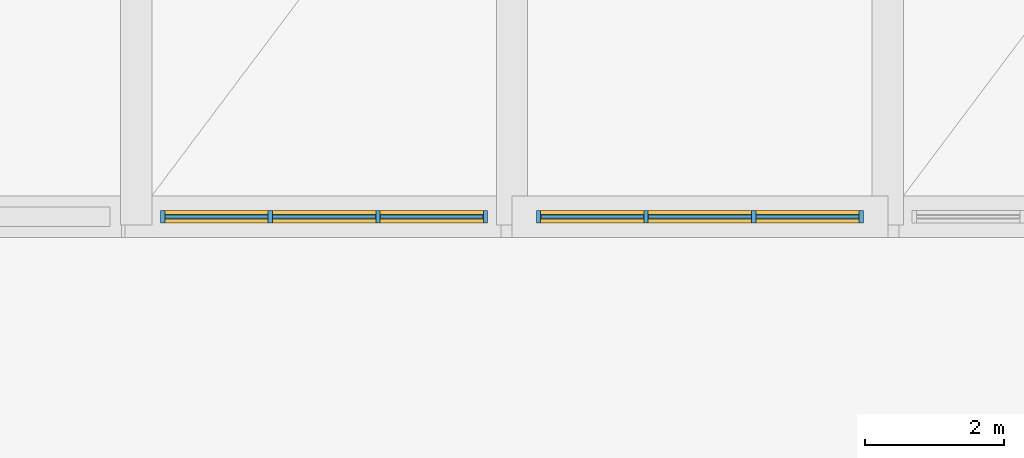
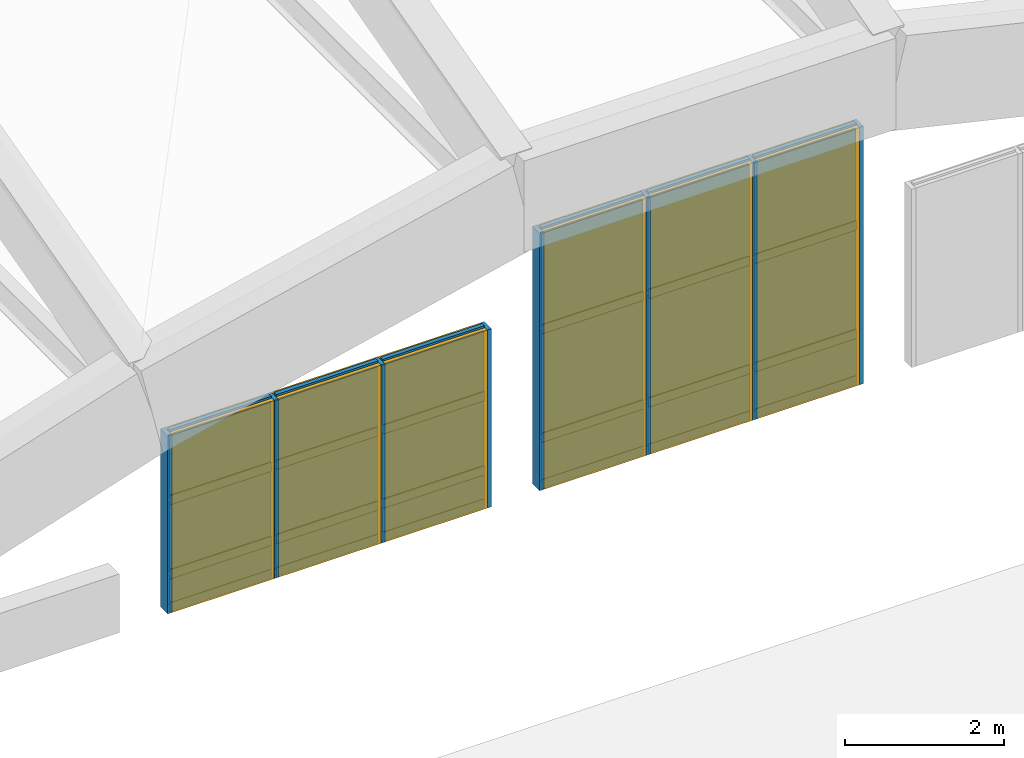
# One storey, part 26 of 27: 32 members, 18 plates, 2 curtain walls.
"""IFC4 building model written with IfcOpenShell, lengths in metres."""

from ifc_helpers import new_model, si_unit, direction, frame, frame_2d, origin, origin_2d, place, context, subcontext, project, spatial, rectangle, extrude, material, layer, layer_set, material_profile, profile_set, type_object, element, aggregate, save


model = new_model("IFC4")

# Units and contexts
model_context = context("Model", 3, precision=1e-05, world=origin(), true_north=direction((0.0, 1.0)))
body_context = subcontext(model_context, "Body", "Model", "MODEL_VIEW")
ifc_project = project(units=[si_unit("LENGTHUNIT", "METRE"), si_unit("AREAUNIT", "SQUARE_METRE"), si_unit("VOLUMEUNIT", "CUBIC_METRE"), si_unit("PLANEANGLEUNIT", "RADIAN"), si_unit("MASSUNIT", "GRAM", prefix="KILO")], contexts=[model_context])

# Member
ifc_material_1 = material(Name="Anodised Bronze Aluminium 6063-T6", Category="aluminium")
ifc_material_profile_1 = material_profile(ifc_material_1, rectangle(XDim=0.06005859375, YDim=0.179931640625, at=origin_2d()), Name="ALU MULLION 60x180")
ifc_profile_set_1 = profile_set([ifc_material_profile_1], Name="Anodised Bronze Aluminium 6063-T6")
member_type_1 = type_object("IfcMemberType", Name="Curtain-Wall Primary Mullion 60x180", PredefinedType="MULLION", material=ifc_profile_set_1)
site_placement = place(None, origin())
building_placement = place(site_placement, origin())
storey_placement = place(building_placement, frame((0.0, 0.0, 24.89990234375)))
member_1_placement = place(storey_placement, frame((68.780029296875, 51.800048828125, -8.0498046875), z_axis=(0.0, 0.0, 1.0), x_axis=(1.0, 0.0, 0.0)))
member_1 = element("IfcMember", 1, at=member_1_placement, type_object=member_type_1, Name="Mullion CWM-01 CW-V1-TYMP-S-B3-M01", PredefinedType="MULLION", context=body_context, shape_type="SweptSolid", body=[
    extrude(rectangle(XDim=0.06005859375, YDim=0.179931640625, at=origin_2d()), origin(), (0.0, 0.0, 1.0), 2.736083984375),
])

member_2_placement = place(storey_placement, frame((70.32666015625, 51.800048828125, -8.0498046875), z_axis=(0.0, 0.0, 1.0), x_axis=(1.0, 0.0, 0.0)))
member_2 = element("IfcMember", 2, at=member_2_placement, type_object=member_type_1, Name="Mullion CWM-01 CW-V1-TYMP-S-B3-M02", PredefinedType="MULLION", context=body_context, shape_type="SweptSolid", body=[
    extrude(rectangle(XDim=0.06005859375, YDim=0.179931640625, at=origin_2d()), origin(), (0.0, 0.0, 1.0), 2.736083984375),
])

member_3_placement = place(storey_placement, frame((71.873291015625, 51.800048828125, -8.0498046875), z_axis=(0.0, 0.0, 1.0), x_axis=(1.0, 0.0, 0.0)))
member_3 = element("IfcMember", 3, at=member_3_placement, type_object=member_type_1, Name="Mullion CWM-01 CW-V1-TYMP-S-B3-M03", PredefinedType="MULLION", context=body_context, shape_type="SweptSolid", body=[
    extrude(rectangle(XDim=0.06005859375, YDim=0.179931640625, at=origin_2d()), origin(), (0.0, 0.0, 1.0), 2.736083984375),
])

member_4_placement = place(storey_placement, frame((73.419921875, 51.800048828125, -8.0498046875), z_axis=(0.0, 0.0, 1.0), x_axis=(1.0, 0.0, 0.0)))
member_4 = element("IfcMember", 4, at=member_4_placement, type_object=member_type_1, Name="Mullion CWM-01 CW-V1-TYMP-S-B3-M04", PredefinedType="MULLION", context=body_context, shape_type="SweptSolid", body=[
    extrude(rectangle(XDim=0.06005859375, YDim=0.179931640625, at=origin_2d()), origin(), (0.0, 0.0, 1.0), 2.736083984375),
])

member_5_placement = place(storey_placement, frame((74.179931640625, 51.800048828125, -8.0498046875), z_axis=(0.0, 0.0, 1.0), x_axis=(1.0, 0.0, 0.0)))
member_5 = element("IfcMember", 5, at=member_5_placement, type_object=member_type_1, Name="Mullion CWM-01 CW-V1-TYMP-S-B4-M01", PredefinedType="MULLION", context=body_context, shape_type="SweptSolid", body=[
    extrude(rectangle(XDim=0.06005859375, YDim=0.179931640625, at=origin_2d()), origin(), (0.0, 0.0, 1.0), 3.952392578125),
])

member_6_placement = place(storey_placement, frame((75.726806640625, 51.800048828125, -8.0498046875), z_axis=(0.0, 0.0, 1.0), x_axis=(1.0, 0.0, 0.0)))
member_6 = element("IfcMember", 6, at=member_6_placement, type_object=member_type_1, Name="Mullion CWM-01 CW-V1-TYMP-S-B4-M02", PredefinedType="MULLION", context=body_context, shape_type="SweptSolid", body=[
    extrude(rectangle(XDim=0.06005859375, YDim=0.179931640625, at=origin_2d()), origin(), (0.0, 0.0, 1.0), 3.952392578125),
])

member_7_placement = place(storey_placement, frame((77.273193359375, 51.800048828125, -8.0498046875), z_axis=(0.0, 0.0, 1.0), x_axis=(1.0, 0.0, 0.0)))
member_7 = element("IfcMember", 7, at=member_7_placement, type_object=member_type_1, Name="Mullion CWM-01 CW-V1-TYMP-S-B4-M03", PredefinedType="MULLION", context=body_context, shape_type="SweptSolid", body=[
    extrude(rectangle(XDim=0.06005859375, YDim=0.179931640625, at=origin_2d()), origin(), (0.0, 0.0, 1.0), 3.952392578125),
])

member_8_placement = place(storey_placement, frame((78.820068359375, 51.800048828125, -8.0498046875), z_axis=(0.0, 0.0, 1.0), x_axis=(1.0, 0.0, 0.0)))
member_8 = element("IfcMember", 8, at=member_8_placement, type_object=member_type_1, Name="Mullion CWM-01 CW-V1-TYMP-S-B4-M04", PredefinedType="MULLION", context=body_context, shape_type="SweptSolid", body=[
    extrude(rectangle(XDim=0.06005859375, YDim=0.179931640625, at=origin_2d()), origin(), (0.0, 0.0, 1.0), 3.952392578125),
])

ifc_material_profile_2 = material_profile(ifc_material_1, rectangle(XDim=0.06005859375, YDim=0.139892578125, at=origin_2d()), Name="ALU TRANSOM 60x140")
ifc_profile_set_2 = profile_set([ifc_material_profile_2], Name="Anodised Bronze Aluminium 6063-T6")
member_type_2 = type_object("IfcMemberType", Name="Curtain-Wall Transom 60x140", PredefinedType="USERDEFINED", material=ifc_profile_set_2)
member_9_placement = place(storey_placement, frame((68.81494140625, 51.800048828125, -8.010009765625), z_axis=(1.0, 0.0, 0.0), x_axis=(0.0, 1.0, 0.0)))
member_9 = element("IfcMember", 9, at=member_9_placement, type_object=member_type_2, Name="Transom CWT-01 CW-V1-TYMP-S-B3-T01.1", ObjectType="TRANSOM", PredefinedType="USERDEFINED", context=body_context, shape_type="SweptSolid", body=[
    extrude(rectangle(XDim=0.06005859375, YDim=0.139892578125, at=origin_2d()), origin(), (0.0, 0.0, 1.0), 1.476806640625),
])

member_10_placement = place(storey_placement, frame((68.81494140625, 51.800048828125, -7.5029296875), z_axis=(1.0, 0.0, 0.0), x_axis=(0.0, 1.0, 0.0)))
member_10 = element("IfcMember", 10, at=member_10_placement, type_object=member_type_2, Name="Transom CWT-01 CW-V1-TYMP-S-B3-T01.2", ObjectType="TRANSOM", PredefinedType="USERDEFINED", context=body_context, shape_type="SweptSolid", body=[
    extrude(rectangle(XDim=0.06005859375, YDim=0.139892578125, at=origin_2d()), origin(), (0.0, 0.0, 1.0), 1.476806640625),
])

member_11_placement = place(storey_placement, frame((68.81494140625, 51.800048828125, -6.364501953125), z_axis=(1.0, 0.0, 0.0), x_axis=(0.0, 1.0, 0.0)))
member_11 = element("IfcMember", 11, at=member_11_placement, type_object=member_type_2, Name="Transom CWT-01 CW-V1-TYMP-S-B3-T01.3", ObjectType="TRANSOM", PredefinedType="USERDEFINED", context=body_context, shape_type="SweptSolid", body=[
    extrude(rectangle(XDim=0.06005859375, YDim=0.139892578125, at=origin_2d()), origin(), (0.0, 0.0, 1.0), 1.476806640625),
])

member_12_placement = place(storey_placement, frame((68.81494140625, 51.800048828125, -5.353759765625), z_axis=(1.0, 0.0, 0.0), x_axis=(0.0, 1.0, 0.0)))
member_12 = element("IfcMember", 12, at=member_12_placement, type_object=member_type_2, Name="Transom CWT-01 CW-V1-TYMP-S-B3-T01.4", ObjectType="TRANSOM", PredefinedType="USERDEFINED", context=body_context, shape_type="SweptSolid", body=[
    extrude(rectangle(XDim=0.06005859375, YDim=0.139892578125, at=origin_2d()), origin(), (0.0, 0.0, 1.0), 1.476806640625),
])

member_13_placement = place(storey_placement, frame((70.36181640625, 51.800048828125, -8.010009765625), z_axis=(1.0, 0.0, 0.0), x_axis=(0.0, 1.0, 0.0)))
member_13 = element("IfcMember", 13, at=member_13_placement, type_object=member_type_2, Name="Transom CWT-01 CW-V1-TYMP-S-B3-T02.1", ObjectType="TRANSOM", PredefinedType="USERDEFINED", context=body_context, shape_type="SweptSolid", body=[
    extrude(rectangle(XDim=0.06005859375, YDim=0.139892578125, at=origin_2d()), origin(), (0.0, 0.0, 1.0), 1.4765625),
])

member_14_placement = place(storey_placement, frame((70.36181640625, 51.800048828125, -7.5029296875), z_axis=(1.0, 0.0, 0.0), x_axis=(0.0, 1.0, 0.0)))
member_14 = element("IfcMember", 14, at=member_14_placement, type_object=member_type_2, Name="Transom CWT-01 CW-V1-TYMP-S-B3-T02.2", ObjectType="TRANSOM", PredefinedType="USERDEFINED", context=body_context, shape_type="SweptSolid", body=[
    extrude(rectangle(XDim=0.06005859375, YDim=0.139892578125, at=origin_2d()), origin(), (0.0, 0.0, 1.0), 1.4765625),
])

member_15_placement = place(storey_placement, frame((70.36181640625, 51.800048828125, -6.364501953125), z_axis=(1.0, 0.0, 0.0), x_axis=(0.0, 1.0, 0.0)))
member_15 = element("IfcMember", 15, at=member_15_placement, type_object=member_type_2, Name="Transom CWT-01 CW-V1-TYMP-S-B3-T02.3", ObjectType="TRANSOM", PredefinedType="USERDEFINED", context=body_context, shape_type="SweptSolid", body=[
    extrude(rectangle(XDim=0.06005859375, YDim=0.139892578125, at=origin_2d()), origin(), (0.0, 0.0, 1.0), 1.4765625),
])

member_16_placement = place(storey_placement, frame((70.36181640625, 51.800048828125, -5.353759765625), z_axis=(1.0, 0.0, 0.0), x_axis=(0.0, 1.0, 0.0)))
member_16 = element("IfcMember", 16, at=member_16_placement, type_object=member_type_2, Name="Transom CWT-01 CW-V1-TYMP-S-B3-T02.4", ObjectType="TRANSOM", PredefinedType="USERDEFINED", context=body_context, shape_type="SweptSolid", body=[
    extrude(rectangle(XDim=0.06005859375, YDim=0.139892578125, at=origin_2d()), origin(), (0.0, 0.0, 1.0), 1.4765625),
])

member_17_placement = place(storey_placement, frame((71.908203125, 51.800048828125, -8.010009765625), z_axis=(1.0, 0.0, 0.0), x_axis=(0.0, 1.0, 0.0)))
member_17 = element("IfcMember", 17, at=member_17_placement, type_object=member_type_2, Name="Transom CWT-01 CW-V1-TYMP-S-B3-T03.1", ObjectType="TRANSOM", PredefinedType="USERDEFINED", context=body_context, shape_type="SweptSolid", body=[
    extrude(rectangle(XDim=0.06005859375, YDim=0.139892578125, at=origin_2d()), origin(), (0.0, 0.0, 1.0), 1.476806640625),
])

member_18_placement = place(storey_placement, frame((71.908203125, 51.800048828125, -7.5029296875), z_axis=(1.0, 0.0, 0.0), x_axis=(0.0, 1.0, 0.0)))
member_18 = element("IfcMember", 18, at=member_18_placement, type_object=member_type_2, Name="Transom CWT-01 CW-V1-TYMP-S-B3-T03.2", ObjectType="TRANSOM", PredefinedType="USERDEFINED", context=body_context, shape_type="SweptSolid", body=[
    extrude(rectangle(XDim=0.06005859375, YDim=0.139892578125, at=origin_2d()), origin(), (0.0, 0.0, 1.0), 1.476806640625),
])

member_19_placement = place(storey_placement, frame((71.908203125, 51.800048828125, -6.364501953125), z_axis=(1.0, 0.0, 0.0), x_axis=(0.0, 1.0, 0.0)))
member_19 = element("IfcMember", 19, at=member_19_placement, type_object=member_type_2, Name="Transom CWT-01 CW-V1-TYMP-S-B3-T03.3", ObjectType="TRANSOM", PredefinedType="USERDEFINED", context=body_context, shape_type="SweptSolid", body=[
    extrude(rectangle(XDim=0.06005859375, YDim=0.139892578125, at=origin_2d()), origin(), (0.0, 0.0, 1.0), 1.476806640625),
])

member_20_placement = place(storey_placement, frame((71.908203125, 51.800048828125, -5.353759765625), z_axis=(1.0, 0.0, 0.0), x_axis=(0.0, 1.0, 0.0)))
member_20 = element("IfcMember", 20, at=member_20_placement, type_object=member_type_2, Name="Transom CWT-01 CW-V1-TYMP-S-B3-T03.4", ObjectType="TRANSOM", PredefinedType="USERDEFINED", context=body_context, shape_type="SweptSolid", body=[
    extrude(rectangle(XDim=0.06005859375, YDim=0.139892578125, at=origin_2d()), origin(), (0.0, 0.0, 1.0), 1.476806640625),
])

member_21_placement = place(storey_placement, frame((74.215087890625, 51.800048828125, -8.010009765625), z_axis=(1.0, 0.0, 0.0), x_axis=(0.0, 1.0, 0.0)))
member_21 = element("IfcMember", 21, at=member_21_placement, type_object=member_type_2, Name="Transom CWT-01 CW-V1-TYMP-S-B4-T01.1", ObjectType="TRANSOM", PredefinedType="USERDEFINED", context=body_context, shape_type="SweptSolid", body=[
    extrude(rectangle(XDim=0.06005859375, YDim=0.139892578125, at=origin_2d()), origin(), (0.0, 0.0, 1.0), 1.4765625),
])

member_22_placement = place(storey_placement, frame((74.215087890625, 51.800048828125, -7.2998046875), z_axis=(1.0, 0.0, 0.0), x_axis=(0.0, 1.0, 0.0)))
member_22 = element("IfcMember", 22, at=member_22_placement, type_object=member_type_2, Name="Transom CWT-01 CW-V1-TYMP-S-B4-T01.2", ObjectType="TRANSOM", PredefinedType="USERDEFINED", context=body_context, shape_type="SweptSolid", body=[
    extrude(rectangle(XDim=0.06005859375, YDim=0.139892578125, at=origin_2d()), origin(), (0.0, 0.0, 1.0), 1.4765625),
])

member_23_placement = place(storey_placement, frame((74.215087890625, 51.800048828125, -5.634521484375), z_axis=(1.0, 0.0, 0.0), x_axis=(0.0, 1.0, 0.0)))
member_23 = element("IfcMember", 23, at=member_23_placement, type_object=member_type_2, Name="Transom CWT-01 CW-V1-TYMP-S-B4-T01.3", ObjectType="TRANSOM", PredefinedType="USERDEFINED", context=body_context, shape_type="SweptSolid", body=[
    extrude(rectangle(XDim=0.06005859375, YDim=0.139892578125, at=origin_2d()), origin(), (0.0, 0.0, 1.0), 1.4765625),
])

member_24_placement = place(storey_placement, frame((74.215087890625, 51.800048828125, -4.137451171875), z_axis=(1.0, 0.0, 0.0), x_axis=(0.0, 1.0, 0.0)))
member_24 = element("IfcMember", 24, at=member_24_placement, type_object=member_type_2, Name="Transom CWT-01 CW-V1-TYMP-S-B4-T01.4", ObjectType="TRANSOM", PredefinedType="USERDEFINED", context=body_context, shape_type="SweptSolid", body=[
    extrude(rectangle(XDim=0.06005859375, YDim=0.139892578125, at=origin_2d()), origin(), (0.0, 0.0, 1.0), 1.4765625),
])

member_25_placement = place(storey_placement, frame((75.76171875, 51.800048828125, -8.010009765625), z_axis=(1.0, 0.0, 0.0), x_axis=(0.0, 1.0, 0.0)))
member_25 = element("IfcMember", 25, at=member_25_placement, type_object=member_type_2, Name="Transom CWT-01 CW-V1-TYMP-S-B4-T02.1", ObjectType="TRANSOM", PredefinedType="USERDEFINED", context=body_context, shape_type="SweptSolid", body=[
    extrude(rectangle(XDim=0.06005859375, YDim=0.139892578125, at=origin_2d()), origin(), (0.0, 0.0, 1.0), 1.4765625),
])

member_26_placement = place(storey_placement, frame((75.76171875, 51.800048828125, -7.2998046875), z_axis=(1.0, 0.0, 0.0), x_axis=(0.0, 1.0, 0.0)))
member_26 = element("IfcMember", 26, at=member_26_placement, type_object=member_type_2, Name="Transom CWT-01 CW-V1-TYMP-S-B4-T02.2", ObjectType="TRANSOM", PredefinedType="USERDEFINED", context=body_context, shape_type="SweptSolid", body=[
    extrude(rectangle(XDim=0.06005859375, YDim=0.139892578125, at=origin_2d()), origin(), (0.0, 0.0, 1.0), 1.4765625),
])

member_27_placement = place(storey_placement, frame((75.76171875, 51.800048828125, -5.634521484375), z_axis=(1.0, 0.0, 0.0), x_axis=(0.0, 1.0, 0.0)))
member_27 = element("IfcMember", 27, at=member_27_placement, type_object=member_type_2, Name="Transom CWT-01 CW-V1-TYMP-S-B4-T02.3", ObjectType="TRANSOM", PredefinedType="USERDEFINED", context=body_context, shape_type="SweptSolid", body=[
    extrude(rectangle(XDim=0.06005859375, YDim=0.139892578125, at=origin_2d()), origin(), (0.0, 0.0, 1.0), 1.4765625),
])

member_28_placement = place(storey_placement, frame((75.76171875, 51.800048828125, -4.137451171875), z_axis=(1.0, 0.0, 0.0), x_axis=(0.0, 1.0, 0.0)))
member_28 = element("IfcMember", 28, at=member_28_placement, type_object=member_type_2, Name="Transom CWT-01 CW-V1-TYMP-S-B4-T02.4", ObjectType="TRANSOM", PredefinedType="USERDEFINED", context=body_context, shape_type="SweptSolid", body=[
    extrude(rectangle(XDim=0.06005859375, YDim=0.139892578125, at=origin_2d()), origin(), (0.0, 0.0, 1.0), 1.4765625),
])

member_29_placement = place(storey_placement, frame((77.308349609375, 51.800048828125, -8.010009765625), z_axis=(1.0, 0.0, 0.0), x_axis=(0.0, 1.0, 0.0)))
member_29 = element("IfcMember", 29, at=member_29_placement, type_object=member_type_2, Name="Transom CWT-01 CW-V1-TYMP-S-B4-T03.1", ObjectType="TRANSOM", PredefinedType="USERDEFINED", context=body_context, shape_type="SweptSolid", body=[
    extrude(rectangle(XDim=0.06005859375, YDim=0.139892578125, at=origin_2d()), origin(), (0.0, 0.0, 1.0), 1.4765625),
])

member_30_placement = place(storey_placement, frame((77.308349609375, 51.800048828125, -7.2998046875), z_axis=(1.0, 0.0, 0.0), x_axis=(0.0, 1.0, 0.0)))
member_30 = element("IfcMember", 30, at=member_30_placement, type_object=member_type_2, Name="Transom CWT-01 CW-V1-TYMP-S-B4-T03.2", ObjectType="TRANSOM", PredefinedType="USERDEFINED", context=body_context, shape_type="SweptSolid", body=[
    extrude(rectangle(XDim=0.06005859375, YDim=0.139892578125, at=origin_2d()), origin(), (0.0, 0.0, 1.0), 1.4765625),
])

member_31_placement = place(storey_placement, frame((77.308349609375, 51.800048828125, -5.634521484375), z_axis=(1.0, 0.0, 0.0), x_axis=(0.0, 1.0, 0.0)))
member_31 = element("IfcMember", 31, at=member_31_placement, type_object=member_type_2, Name="Transom CWT-01 CW-V1-TYMP-S-B4-T03.3", ObjectType="TRANSOM", PredefinedType="USERDEFINED", context=body_context, shape_type="SweptSolid", body=[
    extrude(rectangle(XDim=0.06005859375, YDim=0.139892578125, at=origin_2d()), origin(), (0.0, 0.0, 1.0), 1.4765625),
])

member_32_placement = place(storey_placement, frame((77.308349609375, 51.800048828125, -4.137451171875), z_axis=(1.0, 0.0, 0.0), x_axis=(0.0, 1.0, 0.0)))
member_32 = element("IfcMember", 32, at=member_32_placement, type_object=member_type_2, Name="Transom CWT-01 CW-V1-TYMP-S-B4-T03.4", ObjectType="TRANSOM", PredefinedType="USERDEFINED", context=body_context, shape_type="SweptSolid", body=[
    extrude(rectangle(XDim=0.06005859375, YDim=0.139892578125, at=origin_2d()), origin(), (0.0, 0.0, 1.0), 1.4765625),
])

# Plate
ifc_material_2 = material(Name="Insulated Bronze Aluminium Spandrel Panel", Category="aluminium")
ifc_layer_1 = layer(ifc_material_2, 0.050048828125, Name="Insulated Bronze Aluminium Spandrel Panel")
ifc_layer_set_1 = layer_set([ifc_layer_1], Name="Insulated Bronze Aluminium Spandrel Panel")
plate_type_1 = type_object("IfcPlateType", Name="Insulated Anodised Aluminium Spandrel Cassette 50", PredefinedType="CURTAIN_PANEL", material=ifc_layer_set_1)
plate_1_placement = place(storey_placement, frame((69.55322265625, 51.800048828125, -7.97998046875), z_axis=(0.0, 0.0, 1.0), x_axis=(1.0, 0.0, 0.0)))
plate_1 = element("IfcPlate", 33, at=plate_1_placement, type_object=plate_type_1, Name="Curtain Panel CWP-03 CW-V1-TYMP-S-B3-P01.1", PredefinedType="CURTAIN_PANEL", context=body_context, shape_type="SweptSolid", body=[
    extrude(rectangle(XDim=1.476806640625, YDim=0.050048828125, at=origin_2d()), origin(), (0.0, 0.0, 1.0), 0.447021484375),
])

plate_2_placement = place(storey_placement, frame((71.10009765625, 51.800048828125, -7.97998046875), z_axis=(0.0, 0.0, 1.0), x_axis=(1.0, 0.0, 0.0)))
plate_2 = element("IfcPlate", 34, at=plate_2_placement, type_object=plate_type_1, Name="Curtain Panel CWP-03 CW-V1-TYMP-S-B3-P02.1", PredefinedType="CURTAIN_PANEL", context=body_context, shape_type="SweptSolid", body=[
    extrude(rectangle(XDim=1.476806640625, YDim=0.050048828125, at=origin_2d()), origin(), (0.0, 0.0, 1.0), 0.447021484375),
])

plate_3_placement = place(storey_placement, frame((72.646728515625, 51.800048828125, -7.97998046875), z_axis=(0.0, 0.0, 1.0), x_axis=(1.0, 0.0, 0.0)))
plate_3 = element("IfcPlate", 35, at=plate_3_placement, type_object=plate_type_1, Name="Curtain Panel CWP-03 CW-V1-TYMP-S-B3-P03.1", PredefinedType="CURTAIN_PANEL", context=body_context, shape_type="SweptSolid", body=[
    extrude(rectangle(XDim=1.476806640625, YDim=0.050048828125, at=origin_2d()), origin(), (0.0, 0.0, 1.0), 0.447021484375),
])

plate_4_placement = place(storey_placement, frame((74.953369140625, 51.800048828125, -7.979736328125), z_axis=(0.0, 0.0, 1.0), x_axis=(1.0, 0.0, 0.0)))
plate_4 = element("IfcPlate", 36, at=plate_4_placement, type_object=plate_type_1, Name="Curtain Panel CWP-03 CW-V1-TYMP-S-B4-P01.1", PredefinedType="CURTAIN_PANEL", context=body_context, shape_type="SweptSolid", body=[
    extrude(rectangle(XDim=1.476806640625, YDim=0.050048828125, at=origin_2d()), origin(), (0.0, 0.0, 1.0), 0.64990234375),
])

plate_5_placement = place(storey_placement, frame((76.5, 51.800048828125, -7.979736328125), z_axis=(0.0, 0.0, 1.0), x_axis=(1.0, 0.0, 0.0)))
plate_5 = element("IfcPlate", 37, at=plate_5_placement, type_object=plate_type_1, Name="Curtain Panel CWP-03 CW-V1-TYMP-S-B4-P02.1", PredefinedType="CURTAIN_PANEL", context=body_context, shape_type="SweptSolid", body=[
    extrude(rectangle(XDim=1.476806640625, YDim=0.050048828125, at=origin_2d()), origin(), (0.0, 0.0, 1.0), 0.64990234375),
])

plate_6_placement = place(storey_placement, frame((78.046630859375, 51.800048828125, -7.979736328125), z_axis=(0.0, 0.0, 1.0), x_axis=(1.0, 0.0, 0.0)))
plate_6 = element("IfcPlate", 38, at=plate_6_placement, type_object=plate_type_1, Name="Curtain Panel CWP-03 CW-V1-TYMP-S-B4-P03.1", PredefinedType="CURTAIN_PANEL", context=body_context, shape_type="SweptSolid", body=[
    extrude(rectangle(XDim=1.476806640625, YDim=0.050048828125, at=origin_2d()), origin(), (0.0, 0.0, 1.0), 0.64990234375),
])

ifc_material_3 = material(Name="Solar-Control Tempered Double Glazing", Category="glass")
ifc_layer_2 = layer(ifc_material_3, 0.0380859375, Name="Solar-Control Tempered Double Glazing")
ifc_layer_set_2 = layer_set([ifc_layer_2], Name="Solar-Control Tempered Double Glazing")
plate_type_2 = type_object("IfcPlateType", Name="Solar-Control Vision Glazing Unit 38", PredefinedType="CURTAIN_PANEL", material=ifc_layer_set_2)
plate_7_placement = place(storey_placement, frame((69.55322265625, 51.800048828125, -7.47314453125), z_axis=(0.0, 0.0, 1.0), x_axis=(1.0, 0.0, 0.0)))
plate_7 = element("IfcPlate", 39, at=plate_7_placement, type_object=plate_type_2, Name="Curtain Panel CWP-02 CW-V1-TYMP-S-B3-P01.2", PredefinedType="CURTAIN_PANEL", context=body_context, shape_type="SweptSolid", body=[
    extrude(rectangle(XDim=1.476806640625, YDim=0.0380859375, at=origin_2d()), origin(), (0.0, 0.0, 1.0), 1.078369140625),
])

plate_8_placement = place(storey_placement, frame((69.55322265625, 51.800048828125, -6.33447265625), z_axis=(0.0, 0.0, 1.0), x_axis=(1.0, 0.0, 0.0)))
plate_8 = element("IfcPlate", 40, at=plate_8_placement, type_object=plate_type_2, Name="Curtain Panel CWP-02 CW-V1-TYMP-S-B3-P01.3", PredefinedType="CURTAIN_PANEL", context=body_context, shape_type="SweptSolid", body=[
    extrude(rectangle(XDim=1.476806640625, YDim=0.0380859375, at=origin_2d()), origin(), (0.0, 0.0, 1.0), 0.95068359375),
])

plate_9_placement = place(storey_placement, frame((71.10009765625, 51.800048828125, -7.47314453125), z_axis=(0.0, 0.0, 1.0), x_axis=(1.0, 0.0, 0.0)))
plate_9 = element("IfcPlate", 41, at=plate_9_placement, type_object=plate_type_2, Name="Curtain Panel CWP-02 CW-V1-TYMP-S-B3-P02.2", PredefinedType="CURTAIN_PANEL", context=body_context, shape_type="SweptSolid", body=[
    extrude(rectangle(XDim=1.476806640625, YDim=0.0380859375, at=origin_2d()), origin(), (0.0, 0.0, 1.0), 1.078369140625),
])

plate_10_placement = place(storey_placement, frame((71.10009765625, 51.800048828125, -6.33447265625), z_axis=(0.0, 0.0, 1.0), x_axis=(1.0, 0.0, 0.0)))
plate_10 = element("IfcPlate", 42, at=plate_10_placement, type_object=plate_type_2, Name="Curtain Panel CWP-02 CW-V1-TYMP-S-B3-P02.3", PredefinedType="CURTAIN_PANEL", context=body_context, shape_type="SweptSolid", body=[
    extrude(rectangle(XDim=1.476806640625, YDim=0.0380859375, at=origin_2d()), origin(), (0.0, 0.0, 1.0), 0.95068359375),
])

plate_11_placement = place(storey_placement, frame((72.646728515625, 51.800048828125, -7.47314453125), z_axis=(0.0, 0.0, 1.0), x_axis=(1.0, 0.0, 0.0)))
plate_11 = element("IfcPlate", 43, at=plate_11_placement, type_object=plate_type_2, Name="Curtain Panel CWP-02 CW-V1-TYMP-S-B3-P03.2", PredefinedType="CURTAIN_PANEL", context=body_context, shape_type="SweptSolid", body=[
    extrude(rectangle(XDim=1.476806640625, YDim=0.0380859375, at=origin_2d()), origin(), (0.0, 0.0, 1.0), 1.078369140625),
])

plate_12_placement = place(storey_placement, frame((72.646728515625, 51.800048828125, -6.33447265625), z_axis=(0.0, 0.0, 1.0), x_axis=(1.0, 0.0, 0.0)))
plate_12 = element("IfcPlate", 44, at=plate_12_placement, type_object=plate_type_2, Name="Curtain Panel CWP-02 CW-V1-TYMP-S-B3-P03.3", PredefinedType="CURTAIN_PANEL", context=body_context, shape_type="SweptSolid", body=[
    extrude(rectangle(XDim=1.476806640625, YDim=0.0380859375, at=origin_2d()), origin(), (0.0, 0.0, 1.0), 0.95068359375),
])

plate_13_placement = place(storey_placement, frame((74.953369140625, 51.800048828125, -7.27001953125), z_axis=(0.0, 0.0, 1.0), x_axis=(1.0, 0.0, 0.0)))
plate_13 = element("IfcPlate", 45, at=plate_13_placement, type_object=plate_type_2, Name="Curtain Panel CWP-02 CW-V1-TYMP-S-B4-P01.2", PredefinedType="CURTAIN_PANEL", context=body_context, shape_type="SweptSolid", body=[
    extrude(rectangle(XDim=1.476806640625, YDim=0.0380859375, at=origin_2d()), origin(), (0.0, 0.0, 1.0), 1.605224609375),
])

plate_14_placement = place(storey_placement, frame((74.953369140625, 51.800048828125, -5.6044921875), z_axis=(0.0, 0.0, 1.0), x_axis=(1.0, 0.0, 0.0)))
plate_14 = element("IfcPlate", 46, at=plate_14_placement, type_object=plate_type_2, Name="Curtain Panel CWP-02 CW-V1-TYMP-S-B4-P01.3", PredefinedType="CURTAIN_PANEL", context=body_context, shape_type="SweptSolid", body=[
    extrude(rectangle(XDim=1.476806640625, YDim=0.0380859375, at=origin_2d()), origin(), (0.0, 0.0, 1.0), 1.437255859375),
])

plate_15_placement = place(storey_placement, frame((76.5, 51.800048828125, -7.27001953125), z_axis=(0.0, 0.0, 1.0), x_axis=(1.0, 0.0, 0.0)))
plate_15 = element("IfcPlate", 47, at=plate_15_placement, type_object=plate_type_2, Name="Curtain Panel CWP-02 CW-V1-TYMP-S-B4-P02.2", PredefinedType="CURTAIN_PANEL", context=body_context, shape_type="SweptSolid", body=[
    extrude(rectangle(XDim=1.476806640625, YDim=0.0380859375, at=origin_2d()), origin(), (0.0, 0.0, 1.0), 1.605224609375),
])

plate_16_placement = place(storey_placement, frame((76.5, 51.800048828125, -5.6044921875), z_axis=(0.0, 0.0, 1.0), x_axis=(1.0, 0.0, 0.0)))
plate_16 = element("IfcPlate", 48, at=plate_16_placement, type_object=plate_type_2, Name="Curtain Panel CWP-02 CW-V1-TYMP-S-B4-P02.3", PredefinedType="CURTAIN_PANEL", context=body_context, shape_type="SweptSolid", body=[
    extrude(rectangle(XDim=1.476806640625, YDim=0.0380859375, at=origin_2d()), origin(), (0.0, 0.0, 1.0), 1.437255859375),
])

plate_17_placement = place(storey_placement, frame((78.046630859375, 51.800048828125, -7.27001953125), z_axis=(0.0, 0.0, 1.0), x_axis=(1.0, 0.0, 0.0)))
plate_17 = element("IfcPlate", 49, at=plate_17_placement, type_object=plate_type_2, Name="Curtain Panel CWP-02 CW-V1-TYMP-S-B4-P03.2", PredefinedType="CURTAIN_PANEL", context=body_context, shape_type="SweptSolid", body=[
    extrude(rectangle(XDim=1.476806640625, YDim=0.0380859375, at=origin_2d()), origin(), (0.0, 0.0, 1.0), 1.605224609375),
])

plate_18_placement = place(storey_placement, frame((78.046630859375, 51.800048828125, -5.6044921875), z_axis=(0.0, 0.0, 1.0), x_axis=(1.0, 0.0, 0.0)))
plate_18 = element("IfcPlate", 50, at=plate_18_placement, type_object=plate_type_2, Name="Curtain Panel CWP-02 CW-V1-TYMP-S-B4-P03.3", PredefinedType="CURTAIN_PANEL", context=body_context, shape_type="SweptSolid", body=[
    extrude(rectangle(XDim=1.476806640625, YDim=0.0380859375, at=origin_2d()), origin(), (0.0, 0.0, 1.0), 1.437255859375),
])

# Site, building, storey
site = spatial("IfcSite", under=ifc_project, at=site_placement, CompositionType="ELEMENT")
building = spatial("IfcBuilding", under=site, at=building_placement, Name="Tazoul Stagehouse", CompositionType="ELEMENT")
storey = spatial("IfcBuildingStorey", under=building, at=storey_placement, Name="RF", CompositionType="ELEMENT", Elevation=24.89990234375)

# Curtain wall
curtain_wall_type = type_object("IfcCurtainWallType", Name="Atrium Clerestory Glazed Wall", PredefinedType="NOTDEFINED", material=ifc_material_1)
curtain_wall_1_placement = place(storey_placement, frame((68.780029296875, 51.800048828125, -8.0498046875), z_axis=(0.0, 0.0, 1.0), x_axis=(1.0, 0.0, 0.0)))
curtain_wall_1 = element("IfcCurtainWall", 51, at=curtain_wall_1_placement, inside=storey, type_object=curtain_wall_type, Name="RF Curtain Wall CW-05 (CW-V1-TYMP-S-B3)", PredefinedType="NOTDEFINED", context=body_context, shape_type="SweptSolid", body=[
    extrude(rectangle(XDim=4.639892578125, YDim=0.179931640625, at=frame_2d((2.31982421875, 0.0))), origin(), (0.0, 0.0, 1.0), 2.736083984375),
])

aggregate(curtain_wall_1, [member_1, member_2, member_3, member_4, member_9, member_10, member_11, member_12, plate_1, plate_7, plate_8, member_13, member_14, member_15, member_16, plate_2, plate_9, plate_10, member_17, member_18, member_19, member_20, plate_3, plate_11, plate_12])

curtain_wall_2_placement = place(storey_placement, frame((74.179931640625, 51.800048828125, -8.0498046875), z_axis=(0.0, 0.0, 1.0), x_axis=(1.0, 0.0, 0.0)))
curtain_wall_2 = element("IfcCurtainWall", 52, at=curtain_wall_2_placement, inside=storey, type_object=curtain_wall_type, Name="RF Curtain Wall CW-05 (CW-V1-TYMP-S-B4)", PredefinedType="NOTDEFINED", context=body_context, shape_type="SweptSolid", body=[
    extrude(rectangle(XDim=4.64013671875, YDim=0.179931640625, at=frame_2d((2.320068359375, 0.0))), origin(), (0.0, 0.0, 1.0), 3.952392578125),
])

aggregate(curtain_wall_2, [member_5, member_6, member_7, member_8, member_21, member_22, member_23, member_24, plate_4, plate_13, plate_14, member_25, member_26, member_27, member_28, plate_5, plate_15, plate_16, member_29, member_30, member_31, member_32, plate_6, plate_17, plate_18])

save(model, "model.ifc")
